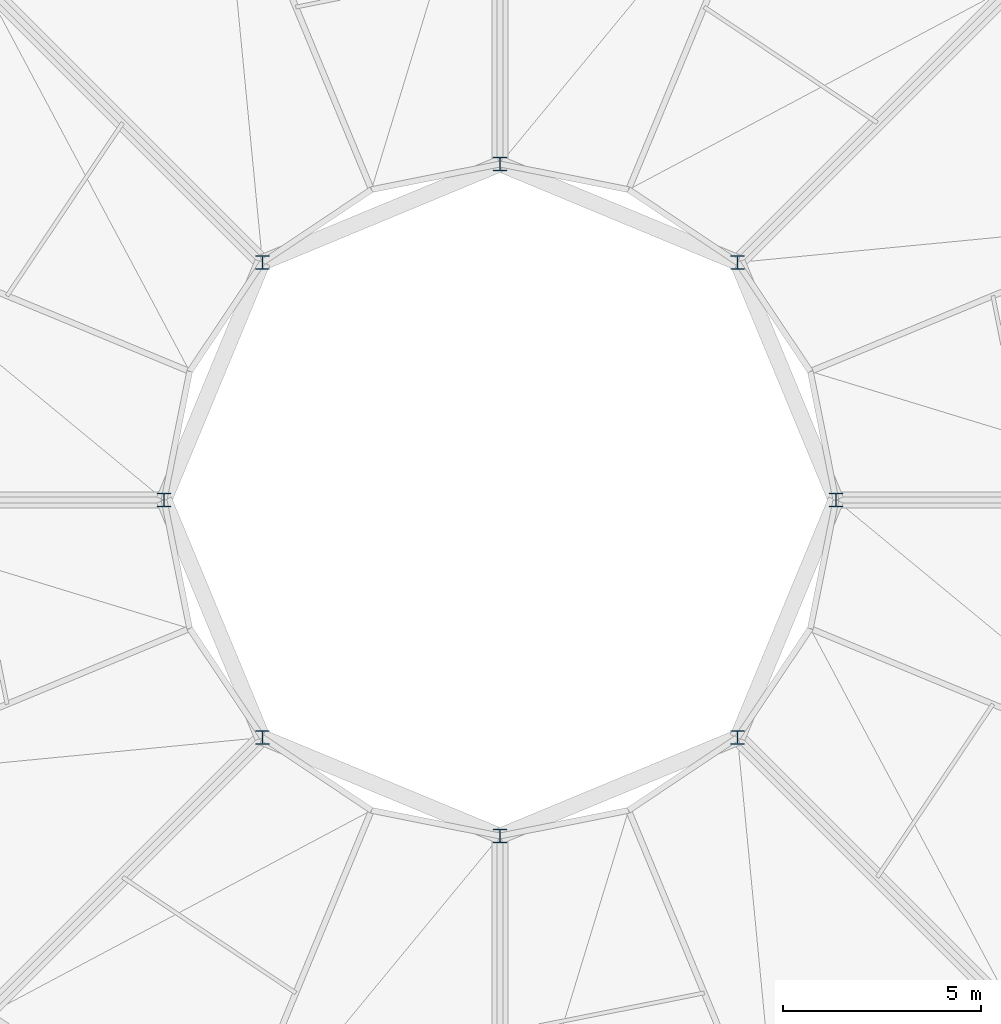
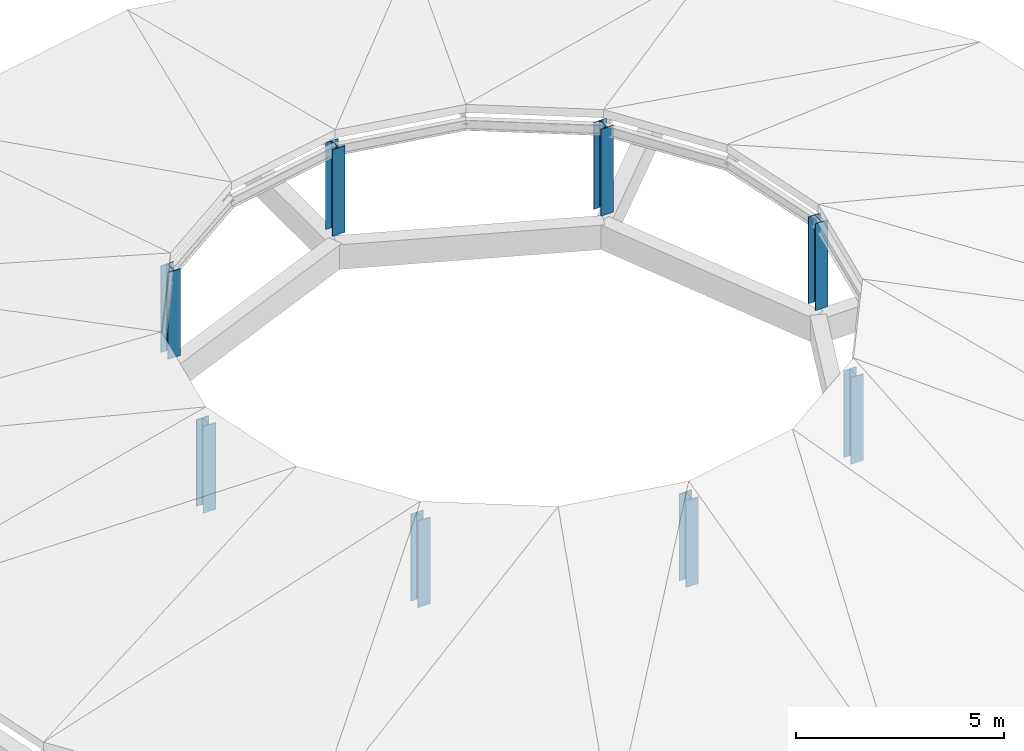
# One storey, part 1 of 50: 8 columns.
"""IFC4 building model written with IfcOpenShell, lengths in metres."""

from ifc_helpers import new_model, si_unit, derived_unit, direction, frame, origin, origin_2d, place, context, subcontext, project, spatial, i_section, extrude, material, material_profile, profile_set, type_object, element, save


model = new_model("IFC4")

# Units and contexts
model_context = context("Model", 3, precision=1e-05, world=origin(), true_north=direction((0.0, 1.0)))
body_context = subcontext(model_context, "Body", "Model", "MODEL_VIEW")
ifc_project = project(units=[si_unit("LENGTHUNIT", "METRE"), si_unit("AREAUNIT", "SQUARE_METRE"), si_unit("VOLUMEUNIT", "CUBIC_METRE"), si_unit("PLANEANGLEUNIT", "RADIAN"), si_unit("MASSUNIT", "GRAM", prefix="KILO"), si_unit("THERMODYNAMICTEMPERATUREUNIT", "KELVIN"), derived_unit("THERMALTRANSMITTANCEUNIT", [(si_unit("POWERUNIT", "WATT"), 1), (si_unit("AREAUNIT", "SQUARE_METRE"), -1), (si_unit("THERMODYNAMICTEMPERATUREUNIT", "KELVIN"), -1)])], contexts=[model_context])

# Site, building, storey
site_placement = place(None, origin())
site = spatial("IfcSite", under=ifc_project, at=site_placement, CompositionType="ELEMENT")
building_placement = place(site_placement, origin())
building = spatial("IfcBuilding", under=site, at=building_placement, Name="Haiyu Intermodal Mobility Hub", CompositionType="ELEMENT")
storey_placement = place(building_placement, frame((0.0, 0.0, 25.10009765625)))
storey = spatial("IfcBuildingStorey", under=building, at=storey_placement, Name="L06", CompositionType="ELEMENT", Elevation=25.10009765625)

# Columns
ifc_material = material(Name="Steel Q355C", Category="steel")
ifc_material_profile = material_profile(ifc_material, i_section(OverallWidth=0.35009765625, OverallDepth=0.35009765625, WebThickness=0.011962890625, FlangeThickness=0.01904296875, FilletRadius=0.02001953125, at=origin_2d()), Name="HW350x350x12x19")
ifc_profile_set = profile_set([ifc_material_profile], Name="Steel Q355C")
column_type = type_object("IfcColumnType", Name="COL-SC06-EXT", PredefinedType="COLUMN", material=ifc_profile_set)
for number, where, z_axis, x_axis, name in (
    (1, (42.5, 60.0, 0.0), (0.0, 0.0, 1.0), (1.0, 0.0, 0.0), "COL-DRUML-01"),
    (2, (40.010009765625, 66.010009765625, 0.0), (0.0, 0.0, 1.0), (1.0, 0.0, 0.0), "COL-DRUML-02"),
    (3, (34.0, 68.5, 0.0), (0.0, 0.0, 1.0), (1.0, 0.0, 0.0), "COL-DRUML-03"),
    (4, (27.989990234375, 66.010009765625, 0.0), (0.0, 0.0, 1.0), (1.0, 0.0, 0.0), "COL-DRUML-04"),
    (5, (25.5, 60.0, 0.0), (0.0, 0.0, 1.0), (1.0, 0.0, 0.0), "COL-DRUML-05"),
    (6, (27.989990234375, 53.989990234375, 0.0), (0.0, 0.0, 1.0), (1.0, 0.0, 0.0), "COL-DRUML-06"),
    (7, (34.0, 51.5, 0.0), (0.0, 0.0, 1.0), (1.0, 0.0, 0.0), "COL-DRUML-07"),
    (8, (40.010009765625, 53.989990234375, 0.0), (0.0, 0.0, 1.0), (1.0, 0.0, 0.0), "COL-DRUML-08"),
):
    element("IfcColumn", number, at=place(storey_placement, frame(where, z_axis=z_axis, x_axis=x_axis)), inside=storey, type_object=column_type, Name=name, PredefinedType="COLUMN", context=body_context, shape_type="SweptSolid", body=[
        extrude(i_section(OverallWidth=0.35009765625, OverallDepth=0.35009765625, WebThickness=0.011962890625, FlangeThickness=0.01904296875, FilletRadius=0.02001953125, at=origin_2d()), origin(), (0.0, 0.0, 1.0), 2.5498046875),
    ])

save(model, "model.ifc")
